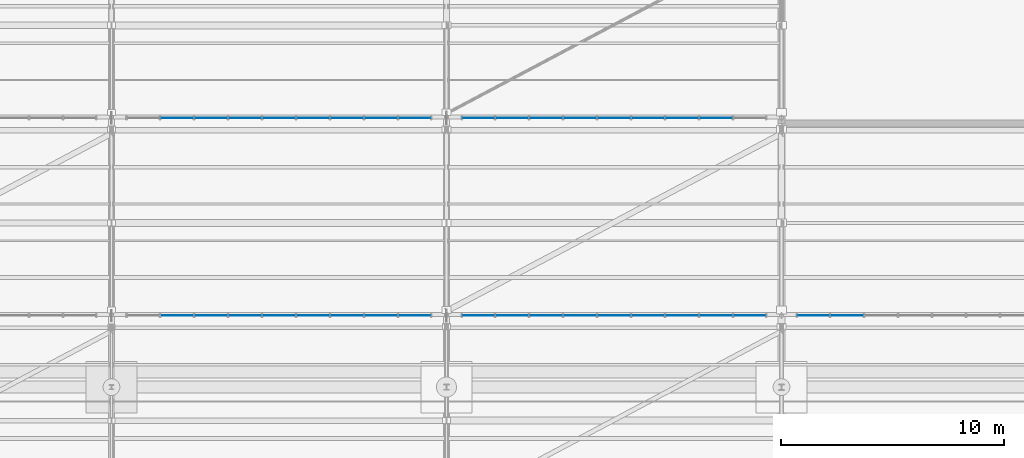
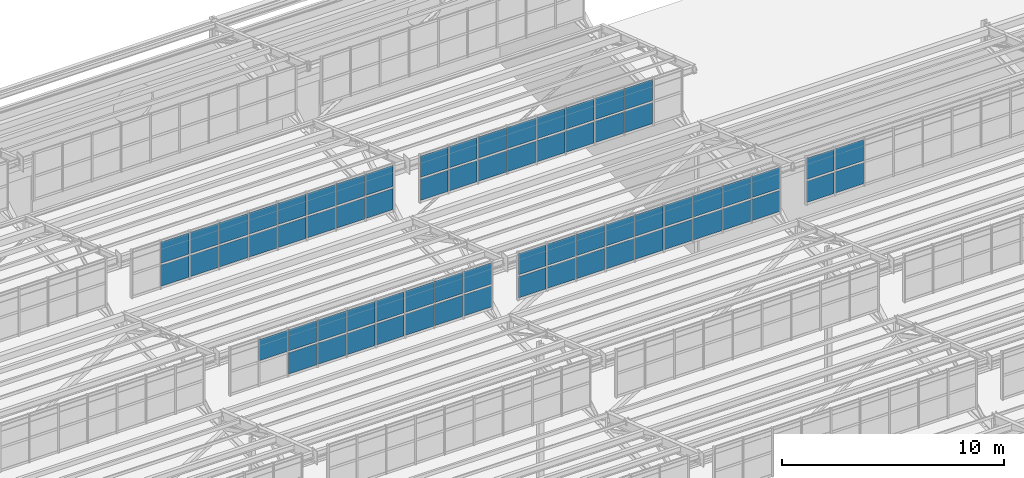
# One storey, part 170 of 285: 69 plates, 5 elements without a shape of their own.
"""IFC4 building model written with IfcOpenShell, lengths in metres."""

from ifc_helpers import new_model, si_unit, direction, frame, origin, origin_2d, place, context, subcontext, project, spatial, rectangle, extrude, material, layer, layer_set, type_object, element, aggregate, save


model = new_model("IFC4")

# Units and contexts
model_context = context("Model", 3, precision=1e-05, world=origin(), true_north=direction((0.0, 1.0)))
body_context = subcontext(model_context, "Body", "Model", "MODEL_VIEW")
ifc_project = project(units=[si_unit("LENGTHUNIT", "METRE"), si_unit("AREAUNIT", "SQUARE_METRE"), si_unit("VOLUMEUNIT", "CUBIC_METRE"), si_unit("PLANEANGLEUNIT", "RADIAN"), si_unit("MASSUNIT", "GRAM", prefix="KILO")], contexts=[model_context])

# Site, building, storey
site_placement = place(None, origin())
site = spatial("IfcSite", under=ifc_project, at=site_placement, CompositionType="ELEMENT")
building_placement = place(site_placement, origin())
building = spatial("IfcBuilding", under=site, at=building_placement, Name="Solanera Park Tramway Depot", CompositionType="ELEMENT")
storey_placement = place(building_placement, origin())
storey = spatial("IfcBuildingStorey", under=building, at=storey_placement, Name="L00", CompositionType="ELEMENT", Elevation=0.0)

# Curtain wall, plates
ifc_material_1 = material(Name="Bronze-anodised thermally broken aluminium curtain wall", Category="aluminium")
curtain_wall_type = type_object("IfcCurtainWallType", Name="Sawtooth Clerestory Monitor Curtain Wall", PredefinedType="NOTDEFINED", material=ifc_material_1)
curtain_wall_1_placement = place(storey_placement, origin())
curtain_wall_1 = element("IfcCurtainWall", 1, at=curtain_wall_1_placement, inside=storey, type_object=curtain_wall_type, Name="L00 Sawtooth Clerestory Monitor Curtain Wall #053", PredefinedType="NOTDEFINED")
ifc_material_2 = material(Name="Low-E laminated solar-control double glazing", Category="glass")
ifc_layer = layer(ifc_material_2, 0.028076171875)
ifc_layer_set = layer_set([ifc_layer], Name="Low-E laminated solar-control double glazing")
plate_type = type_object("IfcPlateType", Name="Curtain Wall Double Glazing Panel 28", PredefinedType="CURTAIN_PANEL", material=ifc_layer_set)
plate_1_placement = place(storey_placement, frame((34.45556640625, 117.699951171875, 7.862060546875), z_axis=(0.0, 0.0, 1.0), x_axis=(1.0, 0.0, 0.0)))
plate_1 = element("IfcPlate", 2, at=plate_1_placement, type_object=plate_type, Name="CW-L00-053 Glazing Panel R1.C3", PredefinedType="CURTAIN_PANEL", context=body_context, shape_type="SweptSolid", body=[
    extrude(rectangle(XDim=1.47021484375, YDim=0.028076171875, at=origin_2d()), origin(), (0.0, 0.0, 1.0), 1.16650390625),
])
plate_2_placement = place(storey_placement, frame((35.977783203125, 117.699951171875, 7.862060546875), z_axis=(0.0, 0.0, 1.0), x_axis=(1.0, 0.0, 0.0)))
plate_2 = element("IfcPlate", 3, at=plate_2_placement, type_object=plate_type, Name="CW-L00-053 Glazing Panel R1.C4", PredefinedType="CURTAIN_PANEL", context=body_context, shape_type="SweptSolid", body=[
    extrude(rectangle(XDim=1.47021484375, YDim=0.028076171875, at=origin_2d()), origin(), (0.0, 0.0, 1.0), 1.16650390625),
])
plate_3_placement = place(storey_placement, frame((37.5, 117.699951171875, 7.862060546875), z_axis=(0.0, 0.0, 1.0), x_axis=(1.0, 0.0, 0.0)))
plate_3 = element("IfcPlate", 4, at=plate_3_placement, type_object=plate_type, Name="CW-L00-053 Glazing Panel R1.C5", PredefinedType="CURTAIN_PANEL", context=body_context, shape_type="SweptSolid", body=[
    extrude(rectangle(XDim=1.47021484375, YDim=0.028076171875, at=origin_2d()), origin(), (0.0, 0.0, 1.0), 1.16650390625),
])
plate_4_placement = place(storey_placement, frame((39.022216796875, 117.699951171875, 7.862060546875), z_axis=(0.0, 0.0, 1.0), x_axis=(1.0, 0.0, 0.0)))
plate_4 = element("IfcPlate", 5, at=plate_4_placement, type_object=plate_type, Name="CW-L00-053 Glazing Panel R1.C6", PredefinedType="CURTAIN_PANEL", context=body_context, shape_type="SweptSolid", body=[
    extrude(rectangle(XDim=1.47021484375, YDim=0.028076171875, at=origin_2d()), origin(), (0.0, 0.0, 1.0), 1.16650390625),
])
plate_5_placement = place(storey_placement, frame((40.54443359375, 117.699951171875, 7.862060546875), z_axis=(0.0, 0.0, 1.0), x_axis=(1.0, 0.0, 0.0)))
plate_5 = element("IfcPlate", 6, at=plate_5_placement, type_object=plate_type, Name="CW-L00-053 Glazing Panel R1.C7", PredefinedType="CURTAIN_PANEL", context=body_context, shape_type="SweptSolid", body=[
    extrude(rectangle(XDim=1.47021484375, YDim=0.028076171875, at=origin_2d()), origin(), (0.0, 0.0, 1.0), 1.16650390625),
])
plate_6_placement = place(storey_placement, frame((42.066650390625, 117.699951171875, 7.862060546875), z_axis=(0.0, 0.0, 1.0), x_axis=(1.0, 0.0, 0.0)))
plate_6 = element("IfcPlate", 7, at=plate_6_placement, type_object=plate_type, Name="CW-L00-053 Glazing Panel R1.C8", PredefinedType="CURTAIN_PANEL", context=body_context, shape_type="SweptSolid", body=[
    extrude(rectangle(XDim=1.47021484375, YDim=0.028076171875, at=origin_2d()), origin(), (0.0, 0.0, 1.0), 1.16650390625),
])
plate_7_placement = place(storey_placement, frame((43.572509765625, 117.699951171875, 7.862060546875), z_axis=(0.0, 0.0, 1.0), x_axis=(1.0, 0.0, 0.0)))
plate_7 = element("IfcPlate", 8, at=plate_7_placement, type_object=plate_type, Name="CW-L00-053 Glazing Panel R1.C9", PredefinedType="CURTAIN_PANEL", context=body_context, shape_type="SweptSolid", body=[
    extrude(rectangle(XDim=1.437744140625, YDim=0.028076171875, at=origin_2d()), origin(), (0.0, 0.0, 1.0), 1.16650390625),
])
plate_8_placement = place(storey_placement, frame((32.933349609375, 117.699951171875, 9.132568359375), z_axis=(0.0, 0.0, 1.0), x_axis=(1.0, 0.0, 0.0)))
plate_8 = element("IfcPlate", 9, at=plate_8_placement, type_object=plate_type, Name="CW-L00-053 Glazing Panel R2.C2", PredefinedType="CURTAIN_PANEL", context=body_context, shape_type="SweptSolid", body=[
    extrude(rectangle(XDim=1.47021484375, YDim=0.028076171875, at=origin_2d()), origin(), (0.0, 0.0, 1.0), 1.16650390625),
])
plate_9_placement = place(storey_placement, frame((34.45556640625, 117.699951171875, 9.132568359375), z_axis=(0.0, 0.0, 1.0), x_axis=(1.0, 0.0, 0.0)))
plate_9 = element("IfcPlate", 10, at=plate_9_placement, type_object=plate_type, Name="CW-L00-053 Glazing Panel R2.C3", PredefinedType="CURTAIN_PANEL", context=body_context, shape_type="SweptSolid", body=[
    extrude(rectangle(XDim=1.47021484375, YDim=0.028076171875, at=origin_2d()), origin(), (0.0, 0.0, 1.0), 1.16650390625),
])
plate_10_placement = place(storey_placement, frame((35.977783203125, 117.699951171875, 9.132568359375), z_axis=(0.0, 0.0, 1.0), x_axis=(1.0, 0.0, 0.0)))
plate_10 = element("IfcPlate", 11, at=plate_10_placement, type_object=plate_type, Name="CW-L00-053 Glazing Panel R2.C4", PredefinedType="CURTAIN_PANEL", context=body_context, shape_type="SweptSolid", body=[
    extrude(rectangle(XDim=1.47021484375, YDim=0.028076171875, at=origin_2d()), origin(), (0.0, 0.0, 1.0), 1.16650390625),
])
plate_11_placement = place(storey_placement, frame((37.5, 117.699951171875, 9.132568359375), z_axis=(0.0, 0.0, 1.0), x_axis=(1.0, 0.0, 0.0)))
plate_11 = element("IfcPlate", 12, at=plate_11_placement, type_object=plate_type, Name="CW-L00-053 Glazing Panel R2.C5", PredefinedType="CURTAIN_PANEL", context=body_context, shape_type="SweptSolid", body=[
    extrude(rectangle(XDim=1.47021484375, YDim=0.028076171875, at=origin_2d()), origin(), (0.0, 0.0, 1.0), 1.16650390625),
])
plate_12_placement = place(storey_placement, frame((39.022216796875, 117.699951171875, 9.132568359375), z_axis=(0.0, 0.0, 1.0), x_axis=(1.0, 0.0, 0.0)))
plate_12 = element("IfcPlate", 13, at=plate_12_placement, type_object=plate_type, Name="CW-L00-053 Glazing Panel R2.C6", PredefinedType="CURTAIN_PANEL", context=body_context, shape_type="SweptSolid", body=[
    extrude(rectangle(XDim=1.47021484375, YDim=0.028076171875, at=origin_2d()), origin(), (0.0, 0.0, 1.0), 1.16650390625),
])
plate_13_placement = place(storey_placement, frame((40.54443359375, 117.699951171875, 9.132568359375), z_axis=(0.0, 0.0, 1.0), x_axis=(1.0, 0.0, 0.0)))
plate_13 = element("IfcPlate", 14, at=plate_13_placement, type_object=plate_type, Name="CW-L00-053 Glazing Panel R2.C7", PredefinedType="CURTAIN_PANEL", context=body_context, shape_type="SweptSolid", body=[
    extrude(rectangle(XDim=1.47021484375, YDim=0.028076171875, at=origin_2d()), origin(), (0.0, 0.0, 1.0), 1.16650390625),
])
plate_14_placement = place(storey_placement, frame((42.066650390625, 117.699951171875, 9.132568359375), z_axis=(0.0, 0.0, 1.0), x_axis=(1.0, 0.0, 0.0)))
plate_14 = element("IfcPlate", 15, at=plate_14_placement, type_object=plate_type, Name="CW-L00-053 Glazing Panel R2.C8", PredefinedType="CURTAIN_PANEL", context=body_context, shape_type="SweptSolid", body=[
    extrude(rectangle(XDim=1.47021484375, YDim=0.028076171875, at=origin_2d()), origin(), (0.0, 0.0, 1.0), 1.16650390625),
])
plate_15_placement = place(storey_placement, frame((43.572509765625, 117.699951171875, 9.132568359375), z_axis=(0.0, 0.0, 1.0), x_axis=(1.0, 0.0, 0.0)))
plate_15 = element("IfcPlate", 16, at=plate_15_placement, type_object=plate_type, Name="CW-L00-053 Glazing Panel R2.C9", PredefinedType="CURTAIN_PANEL", context=body_context, shape_type="SweptSolid", body=[
    extrude(rectangle(XDim=1.437744140625, YDim=0.028076171875, at=origin_2d()), origin(), (0.0, 0.0, 1.0), 1.16650390625),
])
aggregate(curtain_wall_1, [plate_1, plate_2, plate_3, plate_4, plate_5, plate_6, plate_7, plate_8, plate_9, plate_10, plate_11, plate_12, plate_13, plate_14, plate_15])

curtain_wall_2_placement = place(storey_placement, origin())
curtain_wall_2 = element("IfcCurtainWall", 17, at=curtain_wall_2_placement, inside=storey, type_object=curtain_wall_type, Name="L00 Sawtooth Clerestory Monitor Curtain Wall #054", PredefinedType="NOTDEFINED")
plate_16_placement = place(storey_placement, frame((46.427490234375, 117.699951171875, 7.862060546875), z_axis=(0.0, 0.0, 1.0), x_axis=(1.0, 0.0, 0.0)))
plate_16 = element("IfcPlate", 18, at=plate_16_placement, type_object=plate_type, Name="CW-L00-054 Glazing Panel R1.C1", PredefinedType="CURTAIN_PANEL", context=body_context, shape_type="SweptSolid", body=[
    extrude(rectangle(XDim=1.437744140625, YDim=0.028076171875, at=origin_2d()), origin(), (0.0, 0.0, 1.0), 1.16650390625),
])
plate_17_placement = place(storey_placement, frame((47.933349609375, 117.699951171875, 7.862060546875), z_axis=(0.0, 0.0, 1.0), x_axis=(1.0, 0.0, 0.0)))
plate_17 = element("IfcPlate", 19, at=plate_17_placement, type_object=plate_type, Name="CW-L00-054 Glazing Panel R1.C2", PredefinedType="CURTAIN_PANEL", context=body_context, shape_type="SweptSolid", body=[
    extrude(rectangle(XDim=1.47021484375, YDim=0.028076171875, at=origin_2d()), origin(), (0.0, 0.0, 1.0), 1.16650390625),
])
plate_18_placement = place(storey_placement, frame((49.45556640625, 117.699951171875, 7.862060546875), z_axis=(0.0, 0.0, 1.0), x_axis=(1.0, 0.0, 0.0)))
plate_18 = element("IfcPlate", 20, at=plate_18_placement, type_object=plate_type, Name="CW-L00-054 Glazing Panel R1.C3", PredefinedType="CURTAIN_PANEL", context=body_context, shape_type="SweptSolid", body=[
    extrude(rectangle(XDim=1.47021484375, YDim=0.028076171875, at=origin_2d()), origin(), (0.0, 0.0, 1.0), 1.16650390625),
])
plate_19_placement = place(storey_placement, frame((50.977783203125, 117.699951171875, 7.862060546875), z_axis=(0.0, 0.0, 1.0), x_axis=(1.0, 0.0, 0.0)))
plate_19 = element("IfcPlate", 21, at=plate_19_placement, type_object=plate_type, Name="CW-L00-054 Glazing Panel R1.C4", PredefinedType="CURTAIN_PANEL", context=body_context, shape_type="SweptSolid", body=[
    extrude(rectangle(XDim=1.47021484375, YDim=0.028076171875, at=origin_2d()), origin(), (0.0, 0.0, 1.0), 1.16650390625),
])
plate_20_placement = place(storey_placement, frame((52.5, 117.699951171875, 7.862060546875), z_axis=(0.0, 0.0, 1.0), x_axis=(1.0, 0.0, 0.0)))
plate_20 = element("IfcPlate", 22, at=plate_20_placement, type_object=plate_type, Name="CW-L00-054 Glazing Panel R1.C5", PredefinedType="CURTAIN_PANEL", context=body_context, shape_type="SweptSolid", body=[
    extrude(rectangle(XDim=1.47021484375, YDim=0.028076171875, at=origin_2d()), origin(), (0.0, 0.0, 1.0), 1.16650390625),
])
plate_21_placement = place(storey_placement, frame((54.022216796875, 117.699951171875, 7.862060546875), z_axis=(0.0, 0.0, 1.0), x_axis=(1.0, 0.0, 0.0)))
plate_21 = element("IfcPlate", 23, at=plate_21_placement, type_object=plate_type, Name="CW-L00-054 Glazing Panel R1.C6", PredefinedType="CURTAIN_PANEL", context=body_context, shape_type="SweptSolid", body=[
    extrude(rectangle(XDim=1.47021484375, YDim=0.028076171875, at=origin_2d()), origin(), (0.0, 0.0, 1.0), 1.16650390625),
])
plate_22_placement = place(storey_placement, frame((55.54443359375, 117.699951171875, 7.862060546875), z_axis=(0.0, 0.0, 1.0), x_axis=(1.0, 0.0, 0.0)))
plate_22 = element("IfcPlate", 24, at=plate_22_placement, type_object=plate_type, Name="CW-L00-054 Glazing Panel R1.C7", PredefinedType="CURTAIN_PANEL", context=body_context, shape_type="SweptSolid", body=[
    extrude(rectangle(XDim=1.47021484375, YDim=0.028076171875, at=origin_2d()), origin(), (0.0, 0.0, 1.0), 1.16650390625),
])
plate_23_placement = place(storey_placement, frame((57.066650390625, 117.699951171875, 7.862060546875), z_axis=(0.0, 0.0, 1.0), x_axis=(1.0, 0.0, 0.0)))
plate_23 = element("IfcPlate", 25, at=plate_23_placement, type_object=plate_type, Name="CW-L00-054 Glazing Panel R1.C8", PredefinedType="CURTAIN_PANEL", context=body_context, shape_type="SweptSolid", body=[
    extrude(rectangle(XDim=1.47021484375, YDim=0.028076171875, at=origin_2d()), origin(), (0.0, 0.0, 1.0), 1.16650390625),
])
plate_24_placement = place(storey_placement, frame((58.572509765625, 117.699951171875, 7.862060546875), z_axis=(0.0, 0.0, 1.0), x_axis=(1.0, 0.0, 0.0)))
plate_24 = element("IfcPlate", 26, at=plate_24_placement, type_object=plate_type, Name="CW-L00-054 Glazing Panel R1.C9", PredefinedType="CURTAIN_PANEL", context=body_context, shape_type="SweptSolid", body=[
    extrude(rectangle(XDim=1.437744140625, YDim=0.028076171875, at=origin_2d()), origin(), (0.0, 0.0, 1.0), 1.16650390625),
])
plate_25_placement = place(storey_placement, frame((46.427490234375, 117.699951171875, 9.132568359375), z_axis=(0.0, 0.0, 1.0), x_axis=(1.0, 0.0, 0.0)))
plate_25 = element("IfcPlate", 27, at=plate_25_placement, type_object=plate_type, Name="CW-L00-054 Glazing Panel R2.C1", PredefinedType="CURTAIN_PANEL", context=body_context, shape_type="SweptSolid", body=[
    extrude(rectangle(XDim=1.437744140625, YDim=0.028076171875, at=origin_2d()), origin(), (0.0, 0.0, 1.0), 1.16650390625),
])
plate_26_placement = place(storey_placement, frame((47.933349609375, 117.699951171875, 9.132568359375), z_axis=(0.0, 0.0, 1.0), x_axis=(1.0, 0.0, 0.0)))
plate_26 = element("IfcPlate", 28, at=plate_26_placement, type_object=plate_type, Name="CW-L00-054 Glazing Panel R2.C2", PredefinedType="CURTAIN_PANEL", context=body_context, shape_type="SweptSolid", body=[
    extrude(rectangle(XDim=1.47021484375, YDim=0.028076171875, at=origin_2d()), origin(), (0.0, 0.0, 1.0), 1.16650390625),
])
plate_27_placement = place(storey_placement, frame((49.45556640625, 117.699951171875, 9.132568359375), z_axis=(0.0, 0.0, 1.0), x_axis=(1.0, 0.0, 0.0)))
plate_27 = element("IfcPlate", 29, at=plate_27_placement, type_object=plate_type, Name="CW-L00-054 Glazing Panel R2.C3", PredefinedType="CURTAIN_PANEL", context=body_context, shape_type="SweptSolid", body=[
    extrude(rectangle(XDim=1.47021484375, YDim=0.028076171875, at=origin_2d()), origin(), (0.0, 0.0, 1.0), 1.16650390625),
])
plate_28_placement = place(storey_placement, frame((50.977783203125, 117.699951171875, 9.132568359375), z_axis=(0.0, 0.0, 1.0), x_axis=(1.0, 0.0, 0.0)))
plate_28 = element("IfcPlate", 30, at=plate_28_placement, type_object=plate_type, Name="CW-L00-054 Glazing Panel R2.C4", PredefinedType="CURTAIN_PANEL", context=body_context, shape_type="SweptSolid", body=[
    extrude(rectangle(XDim=1.47021484375, YDim=0.028076171875, at=origin_2d()), origin(), (0.0, 0.0, 1.0), 1.16650390625),
])
plate_29_placement = place(storey_placement, frame((52.5, 117.699951171875, 9.132568359375), z_axis=(0.0, 0.0, 1.0), x_axis=(1.0, 0.0, 0.0)))
plate_29 = element("IfcPlate", 31, at=plate_29_placement, type_object=plate_type, Name="CW-L00-054 Glazing Panel R2.C5", PredefinedType="CURTAIN_PANEL", context=body_context, shape_type="SweptSolid", body=[
    extrude(rectangle(XDim=1.47021484375, YDim=0.028076171875, at=origin_2d()), origin(), (0.0, 0.0, 1.0), 1.16650390625),
])
plate_30_placement = place(storey_placement, frame((54.022216796875, 117.699951171875, 9.132568359375), z_axis=(0.0, 0.0, 1.0), x_axis=(1.0, 0.0, 0.0)))
plate_30 = element("IfcPlate", 32, at=plate_30_placement, type_object=plate_type, Name="CW-L00-054 Glazing Panel R2.C6", PredefinedType="CURTAIN_PANEL", context=body_context, shape_type="SweptSolid", body=[
    extrude(rectangle(XDim=1.47021484375, YDim=0.028076171875, at=origin_2d()), origin(), (0.0, 0.0, 1.0), 1.16650390625),
])
plate_31_placement = place(storey_placement, frame((55.54443359375, 117.699951171875, 9.132568359375), z_axis=(0.0, 0.0, 1.0), x_axis=(1.0, 0.0, 0.0)))
plate_31 = element("IfcPlate", 33, at=plate_31_placement, type_object=plate_type, Name="CW-L00-054 Glazing Panel R2.C7", PredefinedType="CURTAIN_PANEL", context=body_context, shape_type="SweptSolid", body=[
    extrude(rectangle(XDim=1.47021484375, YDim=0.028076171875, at=origin_2d()), origin(), (0.0, 0.0, 1.0), 1.16650390625),
])
plate_32_placement = place(storey_placement, frame((57.066650390625, 117.699951171875, 9.132568359375), z_axis=(0.0, 0.0, 1.0), x_axis=(1.0, 0.0, 0.0)))
plate_32 = element("IfcPlate", 34, at=plate_32_placement, type_object=plate_type, Name="CW-L00-054 Glazing Panel R2.C8", PredefinedType="CURTAIN_PANEL", context=body_context, shape_type="SweptSolid", body=[
    extrude(rectangle(XDim=1.47021484375, YDim=0.028076171875, at=origin_2d()), origin(), (0.0, 0.0, 1.0), 1.16650390625),
])
plate_33_placement = place(storey_placement, frame((58.572509765625, 117.699951171875, 9.132568359375), z_axis=(0.0, 0.0, 1.0), x_axis=(1.0, 0.0, 0.0)))
plate_33 = element("IfcPlate", 35, at=plate_33_placement, type_object=plate_type, Name="CW-L00-054 Glazing Panel R2.C9", PredefinedType="CURTAIN_PANEL", context=body_context, shape_type="SweptSolid", body=[
    extrude(rectangle(XDim=1.437744140625, YDim=0.028076171875, at=origin_2d()), origin(), (0.0, 0.0, 1.0), 1.16650390625),
])
aggregate(curtain_wall_2, [plate_16, plate_17, plate_18, plate_19, plate_20, plate_21, plate_22, plate_23, plate_24, plate_25, plate_26, plate_27, plate_28, plate_29, plate_30, plate_31, plate_32, plate_33])

curtain_wall_3_placement = place(storey_placement, origin())
curtain_wall_3 = element("IfcCurtainWall", 36, at=curtain_wall_3_placement, inside=storey, type_object=curtain_wall_type, Name="L00 Sawtooth Clerestory Monitor Curtain Wall #055", PredefinedType="NOTDEFINED")
plate_34_placement = place(storey_placement, frame((61.427490234375, 117.699951171875, 7.862060546875), z_axis=(0.0, 0.0, 1.0), x_axis=(1.0, 0.0, 0.0)))
plate_34 = element("IfcPlate", 37, at=plate_34_placement, type_object=plate_type, Name="CW-L00-055 Glazing Panel R1.C1", PredefinedType="CURTAIN_PANEL", context=body_context, shape_type="SweptSolid", body=[
    extrude(rectangle(XDim=1.437744140625, YDim=0.028076171875, at=origin_2d()), origin(), (0.0, 0.0, 1.0), 1.16650390625),
])
plate_35_placement = place(storey_placement, frame((62.933349609375, 117.699951171875, 7.862060546875), z_axis=(0.0, 0.0, 1.0), x_axis=(1.0, 0.0, 0.0)))
plate_35 = element("IfcPlate", 38, at=plate_35_placement, type_object=plate_type, Name="CW-L00-055 Glazing Panel R1.C2", PredefinedType="CURTAIN_PANEL", context=body_context, shape_type="SweptSolid", body=[
    extrude(rectangle(XDim=1.47021484375, YDim=0.028076171875, at=origin_2d()), origin(), (0.0, 0.0, 1.0), 1.16650390625),
])
plate_36_placement = place(storey_placement, frame((61.427490234375, 117.699951171875, 9.132568359375), z_axis=(0.0, 0.0, 1.0), x_axis=(1.0, 0.0, 0.0)))
plate_36 = element("IfcPlate", 39, at=plate_36_placement, type_object=plate_type, Name="CW-L00-055 Glazing Panel R2.C1", PredefinedType="CURTAIN_PANEL", context=body_context, shape_type="SweptSolid", body=[
    extrude(rectangle(XDim=1.437744140625, YDim=0.028076171875, at=origin_2d()), origin(), (0.0, 0.0, 1.0), 1.16650390625),
])
plate_37_placement = place(storey_placement, frame((62.933349609375, 117.699951171875, 9.132568359375), z_axis=(0.0, 0.0, 1.0), x_axis=(1.0, 0.0, 0.0)))
plate_37 = element("IfcPlate", 40, at=plate_37_placement, type_object=plate_type, Name="CW-L00-055 Glazing Panel R2.C2", PredefinedType="CURTAIN_PANEL", context=body_context, shape_type="SweptSolid", body=[
    extrude(rectangle(XDim=1.47021484375, YDim=0.028076171875, at=origin_2d()), origin(), (0.0, 0.0, 1.0), 1.16650390625),
])
aggregate(curtain_wall_3, [plate_34, plate_35, plate_36, plate_37])

curtain_wall_4_placement = place(storey_placement, origin())
curtain_wall_4 = element("IfcCurtainWall", 41, at=curtain_wall_4_placement, inside=storey, type_object=curtain_wall_type, Name="L00 Sawtooth Clerestory Monitor Curtain Wall #061", PredefinedType="NOTDEFINED")
plate_38_placement = place(storey_placement, frame((32.933349609375, 126.550048828125, 7.862060546875), z_axis=(0.0, 0.0, 1.0), x_axis=(1.0, 0.0, 0.0)))
plate_38 = element("IfcPlate", 42, at=plate_38_placement, type_object=plate_type, Name="CW-L00-061 Glazing Panel R1.C2", PredefinedType="CURTAIN_PANEL", context=body_context, shape_type="SweptSolid", body=[
    extrude(rectangle(XDim=1.47021484375, YDim=0.028076171875, at=origin_2d()), origin(), (0.0, 0.0, 1.0), 1.16650390625),
])
plate_39_placement = place(storey_placement, frame((34.45556640625, 126.550048828125, 7.862060546875), z_axis=(0.0, 0.0, 1.0), x_axis=(1.0, 0.0, 0.0)))
plate_39 = element("IfcPlate", 43, at=plate_39_placement, type_object=plate_type, Name="CW-L00-061 Glazing Panel R1.C3", PredefinedType="CURTAIN_PANEL", context=body_context, shape_type="SweptSolid", body=[
    extrude(rectangle(XDim=1.47021484375, YDim=0.028076171875, at=origin_2d()), origin(), (0.0, 0.0, 1.0), 1.16650390625),
])
plate_40_placement = place(storey_placement, frame((35.977783203125, 126.550048828125, 7.862060546875), z_axis=(0.0, 0.0, 1.0), x_axis=(1.0, 0.0, 0.0)))
plate_40 = element("IfcPlate", 44, at=plate_40_placement, type_object=plate_type, Name="CW-L00-061 Glazing Panel R1.C4", PredefinedType="CURTAIN_PANEL", context=body_context, shape_type="SweptSolid", body=[
    extrude(rectangle(XDim=1.47021484375, YDim=0.028076171875, at=origin_2d()), origin(), (0.0, 0.0, 1.0), 1.16650390625),
])
plate_41_placement = place(storey_placement, frame((37.5, 126.550048828125, 7.862060546875), z_axis=(0.0, 0.0, 1.0), x_axis=(1.0, 0.0, 0.0)))
plate_41 = element("IfcPlate", 45, at=plate_41_placement, type_object=plate_type, Name="CW-L00-061 Glazing Panel R1.C5", PredefinedType="CURTAIN_PANEL", context=body_context, shape_type="SweptSolid", body=[
    extrude(rectangle(XDim=1.47021484375, YDim=0.028076171875, at=origin_2d()), origin(), (0.0, 0.0, 1.0), 1.16650390625),
])
plate_42_placement = place(storey_placement, frame((39.022216796875, 126.550048828125, 7.862060546875), z_axis=(0.0, 0.0, 1.0), x_axis=(1.0, 0.0, 0.0)))
plate_42 = element("IfcPlate", 46, at=plate_42_placement, type_object=plate_type, Name="CW-L00-061 Glazing Panel R1.C6", PredefinedType="CURTAIN_PANEL", context=body_context, shape_type="SweptSolid", body=[
    extrude(rectangle(XDim=1.47021484375, YDim=0.028076171875, at=origin_2d()), origin(), (0.0, 0.0, 1.0), 1.16650390625),
])
plate_43_placement = place(storey_placement, frame((40.54443359375, 126.550048828125, 7.862060546875), z_axis=(0.0, 0.0, 1.0), x_axis=(1.0, 0.0, 0.0)))
plate_43 = element("IfcPlate", 47, at=plate_43_placement, type_object=plate_type, Name="CW-L00-061 Glazing Panel R1.C7", PredefinedType="CURTAIN_PANEL", context=body_context, shape_type="SweptSolid", body=[
    extrude(rectangle(XDim=1.47021484375, YDim=0.028076171875, at=origin_2d()), origin(), (0.0, 0.0, 1.0), 1.16650390625),
])
plate_44_placement = place(storey_placement, frame((42.066650390625, 126.550048828125, 7.862060546875), z_axis=(0.0, 0.0, 1.0), x_axis=(1.0, 0.0, 0.0)))
plate_44 = element("IfcPlate", 48, at=plate_44_placement, type_object=plate_type, Name="CW-L00-061 Glazing Panel R1.C8", PredefinedType="CURTAIN_PANEL", context=body_context, shape_type="SweptSolid", body=[
    extrude(rectangle(XDim=1.47021484375, YDim=0.028076171875, at=origin_2d()), origin(), (0.0, 0.0, 1.0), 1.16650390625),
])
plate_45_placement = place(storey_placement, frame((43.572509765625, 126.550048828125, 7.862060546875), z_axis=(0.0, 0.0, 1.0), x_axis=(1.0, 0.0, 0.0)))
plate_45 = element("IfcPlate", 49, at=plate_45_placement, type_object=plate_type, Name="CW-L00-061 Glazing Panel R1.C9", PredefinedType="CURTAIN_PANEL", context=body_context, shape_type="SweptSolid", body=[
    extrude(rectangle(XDim=1.437744140625, YDim=0.028076171875, at=origin_2d()), origin(), (0.0, 0.0, 1.0), 1.16650390625),
])
plate_46_placement = place(storey_placement, frame((32.933349609375, 126.550048828125, 9.132568359375), z_axis=(0.0, 0.0, 1.0), x_axis=(1.0, 0.0, 0.0)))
plate_46 = element("IfcPlate", 50, at=plate_46_placement, type_object=plate_type, Name="CW-L00-061 Glazing Panel R2.C2", PredefinedType="CURTAIN_PANEL", context=body_context, shape_type="SweptSolid", body=[
    extrude(rectangle(XDim=1.47021484375, YDim=0.028076171875, at=origin_2d()), origin(), (0.0, 0.0, 1.0), 1.16650390625),
])
plate_47_placement = place(storey_placement, frame((34.45556640625, 126.550048828125, 9.132568359375), z_axis=(0.0, 0.0, 1.0), x_axis=(1.0, 0.0, 0.0)))
plate_47 = element("IfcPlate", 51, at=plate_47_placement, type_object=plate_type, Name="CW-L00-061 Glazing Panel R2.C3", PredefinedType="CURTAIN_PANEL", context=body_context, shape_type="SweptSolid", body=[
    extrude(rectangle(XDim=1.47021484375, YDim=0.028076171875, at=origin_2d()), origin(), (0.0, 0.0, 1.0), 1.16650390625),
])
plate_48_placement = place(storey_placement, frame((35.977783203125, 126.550048828125, 9.132568359375), z_axis=(0.0, 0.0, 1.0), x_axis=(1.0, 0.0, 0.0)))
plate_48 = element("IfcPlate", 52, at=plate_48_placement, type_object=plate_type, Name="CW-L00-061 Glazing Panel R2.C4", PredefinedType="CURTAIN_PANEL", context=body_context, shape_type="SweptSolid", body=[
    extrude(rectangle(XDim=1.47021484375, YDim=0.028076171875, at=origin_2d()), origin(), (0.0, 0.0, 1.0), 1.16650390625),
])
plate_49_placement = place(storey_placement, frame((37.5, 126.550048828125, 9.132568359375), z_axis=(0.0, 0.0, 1.0), x_axis=(1.0, 0.0, 0.0)))
plate_49 = element("IfcPlate", 53, at=plate_49_placement, type_object=plate_type, Name="CW-L00-061 Glazing Panel R2.C5", PredefinedType="CURTAIN_PANEL", context=body_context, shape_type="SweptSolid", body=[
    extrude(rectangle(XDim=1.47021484375, YDim=0.028076171875, at=origin_2d()), origin(), (0.0, 0.0, 1.0), 1.16650390625),
])
plate_50_placement = place(storey_placement, frame((39.022216796875, 126.550048828125, 9.132568359375), z_axis=(0.0, 0.0, 1.0), x_axis=(1.0, 0.0, 0.0)))
plate_50 = element("IfcPlate", 54, at=plate_50_placement, type_object=plate_type, Name="CW-L00-061 Glazing Panel R2.C6", PredefinedType="CURTAIN_PANEL", context=body_context, shape_type="SweptSolid", body=[
    extrude(rectangle(XDim=1.47021484375, YDim=0.028076171875, at=origin_2d()), origin(), (0.0, 0.0, 1.0), 1.16650390625),
])
plate_51_placement = place(storey_placement, frame((40.54443359375, 126.550048828125, 9.132568359375), z_axis=(0.0, 0.0, 1.0), x_axis=(1.0, 0.0, 0.0)))
plate_51 = element("IfcPlate", 55, at=plate_51_placement, type_object=plate_type, Name="CW-L00-061 Glazing Panel R2.C7", PredefinedType="CURTAIN_PANEL", context=body_context, shape_type="SweptSolid", body=[
    extrude(rectangle(XDim=1.47021484375, YDim=0.028076171875, at=origin_2d()), origin(), (0.0, 0.0, 1.0), 1.16650390625),
])
plate_52_placement = place(storey_placement, frame((42.066650390625, 126.550048828125, 9.132568359375), z_axis=(0.0, 0.0, 1.0), x_axis=(1.0, 0.0, 0.0)))
plate_52 = element("IfcPlate", 56, at=plate_52_placement, type_object=plate_type, Name="CW-L00-061 Glazing Panel R2.C8", PredefinedType="CURTAIN_PANEL", context=body_context, shape_type="SweptSolid", body=[
    extrude(rectangle(XDim=1.47021484375, YDim=0.028076171875, at=origin_2d()), origin(), (0.0, 0.0, 1.0), 1.16650390625),
])
plate_53_placement = place(storey_placement, frame((43.572509765625, 126.550048828125, 9.132568359375), z_axis=(0.0, 0.0, 1.0), x_axis=(1.0, 0.0, 0.0)))
plate_53 = element("IfcPlate", 57, at=plate_53_placement, type_object=plate_type, Name="CW-L00-061 Glazing Panel R2.C9", PredefinedType="CURTAIN_PANEL", context=body_context, shape_type="SweptSolid", body=[
    extrude(rectangle(XDim=1.437744140625, YDim=0.028076171875, at=origin_2d()), origin(), (0.0, 0.0, 1.0), 1.16650390625),
])
aggregate(curtain_wall_4, [plate_38, plate_39, plate_40, plate_41, plate_42, plate_43, plate_44, plate_45, plate_46, plate_47, plate_48, plate_49, plate_50, plate_51, plate_52, plate_53])

curtain_wall_5_placement = place(storey_placement, origin())
curtain_wall_5 = element("IfcCurtainWall", 58, at=curtain_wall_5_placement, inside=storey, type_object=curtain_wall_type, Name="L00 Sawtooth Clerestory Monitor Curtain Wall #062", PredefinedType="NOTDEFINED")
plate_54_placement = place(storey_placement, frame((46.427490234375, 126.550048828125, 7.862060546875), z_axis=(0.0, 0.0, 1.0), x_axis=(1.0, 0.0, 0.0)))
plate_54 = element("IfcPlate", 59, at=plate_54_placement, type_object=plate_type, Name="CW-L00-062 Glazing Panel R1.C1", PredefinedType="CURTAIN_PANEL", context=body_context, shape_type="SweptSolid", body=[
    extrude(rectangle(XDim=1.437744140625, YDim=0.028076171875, at=origin_2d()), origin(), (0.0, 0.0, 1.0), 1.16650390625),
])
plate_55_placement = place(storey_placement, frame((47.933349609375, 126.550048828125, 7.862060546875), z_axis=(0.0, 0.0, 1.0), x_axis=(1.0, 0.0, 0.0)))
plate_55 = element("IfcPlate", 60, at=plate_55_placement, type_object=plate_type, Name="CW-L00-062 Glazing Panel R1.C2", PredefinedType="CURTAIN_PANEL", context=body_context, shape_type="SweptSolid", body=[
    extrude(rectangle(XDim=1.47021484375, YDim=0.028076171875, at=origin_2d()), origin(), (0.0, 0.0, 1.0), 1.16650390625),
])
plate_56_placement = place(storey_placement, frame((49.45556640625, 126.550048828125, 7.862060546875), z_axis=(0.0, 0.0, 1.0), x_axis=(1.0, 0.0, 0.0)))
plate_56 = element("IfcPlate", 61, at=plate_56_placement, type_object=plate_type, Name="CW-L00-062 Glazing Panel R1.C3", PredefinedType="CURTAIN_PANEL", context=body_context, shape_type="SweptSolid", body=[
    extrude(rectangle(XDim=1.47021484375, YDim=0.028076171875, at=origin_2d()), origin(), (0.0, 0.0, 1.0), 1.16650390625),
])
plate_57_placement = place(storey_placement, frame((50.977783203125, 126.550048828125, 7.862060546875), z_axis=(0.0, 0.0, 1.0), x_axis=(1.0, 0.0, 0.0)))
plate_57 = element("IfcPlate", 62, at=plate_57_placement, type_object=plate_type, Name="CW-L00-062 Glazing Panel R1.C4", PredefinedType="CURTAIN_PANEL", context=body_context, shape_type="SweptSolid", body=[
    extrude(rectangle(XDim=1.47021484375, YDim=0.028076171875, at=origin_2d()), origin(), (0.0, 0.0, 1.0), 1.16650390625),
])
plate_58_placement = place(storey_placement, frame((52.5, 126.550048828125, 7.862060546875), z_axis=(0.0, 0.0, 1.0), x_axis=(1.0, 0.0, 0.0)))
plate_58 = element("IfcPlate", 63, at=plate_58_placement, type_object=plate_type, Name="CW-L00-062 Glazing Panel R1.C5", PredefinedType="CURTAIN_PANEL", context=body_context, shape_type="SweptSolid", body=[
    extrude(rectangle(XDim=1.47021484375, YDim=0.028076171875, at=origin_2d()), origin(), (0.0, 0.0, 1.0), 1.16650390625),
])
plate_59_placement = place(storey_placement, frame((54.022216796875, 126.550048828125, 7.862060546875), z_axis=(0.0, 0.0, 1.0), x_axis=(1.0, 0.0, 0.0)))
plate_59 = element("IfcPlate", 64, at=plate_59_placement, type_object=plate_type, Name="CW-L00-062 Glazing Panel R1.C6", PredefinedType="CURTAIN_PANEL", context=body_context, shape_type="SweptSolid", body=[
    extrude(rectangle(XDim=1.47021484375, YDim=0.028076171875, at=origin_2d()), origin(), (0.0, 0.0, 1.0), 1.16650390625),
])
plate_60_placement = place(storey_placement, frame((55.54443359375, 126.550048828125, 7.862060546875), z_axis=(0.0, 0.0, 1.0), x_axis=(1.0, 0.0, 0.0)))
plate_60 = element("IfcPlate", 65, at=plate_60_placement, type_object=plate_type, Name="CW-L00-062 Glazing Panel R1.C7", PredefinedType="CURTAIN_PANEL", context=body_context, shape_type="SweptSolid", body=[
    extrude(rectangle(XDim=1.47021484375, YDim=0.028076171875, at=origin_2d()), origin(), (0.0, 0.0, 1.0), 1.16650390625),
])
plate_61_placement = place(storey_placement, frame((57.066650390625, 126.550048828125, 7.862060546875), z_axis=(0.0, 0.0, 1.0), x_axis=(1.0, 0.0, 0.0)))
plate_61 = element("IfcPlate", 66, at=plate_61_placement, type_object=plate_type, Name="CW-L00-062 Glazing Panel R1.C8", PredefinedType="CURTAIN_PANEL", context=body_context, shape_type="SweptSolid", body=[
    extrude(rectangle(XDim=1.47021484375, YDim=0.028076171875, at=origin_2d()), origin(), (0.0, 0.0, 1.0), 1.16650390625),
])
plate_62_placement = place(storey_placement, frame((46.427490234375, 126.550048828125, 9.132568359375), z_axis=(0.0, 0.0, 1.0), x_axis=(1.0, 0.0, 0.0)))
plate_62 = element("IfcPlate", 67, at=plate_62_placement, type_object=plate_type, Name="CW-L00-062 Glazing Panel R2.C1", PredefinedType="CURTAIN_PANEL", context=body_context, shape_type="SweptSolid", body=[
    extrude(rectangle(XDim=1.437744140625, YDim=0.028076171875, at=origin_2d()), origin(), (0.0, 0.0, 1.0), 1.16650390625),
])
plate_63_placement = place(storey_placement, frame((47.933349609375, 126.550048828125, 9.132568359375), z_axis=(0.0, 0.0, 1.0), x_axis=(1.0, 0.0, 0.0)))
plate_63 = element("IfcPlate", 68, at=plate_63_placement, type_object=plate_type, Name="CW-L00-062 Glazing Panel R2.C2", PredefinedType="CURTAIN_PANEL", context=body_context, shape_type="SweptSolid", body=[
    extrude(rectangle(XDim=1.47021484375, YDim=0.028076171875, at=origin_2d()), origin(), (0.0, 0.0, 1.0), 1.16650390625),
])
plate_64_placement = place(storey_placement, frame((49.45556640625, 126.550048828125, 9.132568359375), z_axis=(0.0, 0.0, 1.0), x_axis=(1.0, 0.0, 0.0)))
plate_64 = element("IfcPlate", 69, at=plate_64_placement, type_object=plate_type, Name="CW-L00-062 Glazing Panel R2.C3", PredefinedType="CURTAIN_PANEL", context=body_context, shape_type="SweptSolid", body=[
    extrude(rectangle(XDim=1.47021484375, YDim=0.028076171875, at=origin_2d()), origin(), (0.0, 0.0, 1.0), 1.16650390625),
])
plate_65_placement = place(storey_placement, frame((50.977783203125, 126.550048828125, 9.132568359375), z_axis=(0.0, 0.0, 1.0), x_axis=(1.0, 0.0, 0.0)))
plate_65 = element("IfcPlate", 70, at=plate_65_placement, type_object=plate_type, Name="CW-L00-062 Glazing Panel R2.C4", PredefinedType="CURTAIN_PANEL", context=body_context, shape_type="SweptSolid", body=[
    extrude(rectangle(XDim=1.47021484375, YDim=0.028076171875, at=origin_2d()), origin(), (0.0, 0.0, 1.0), 1.16650390625),
])
plate_66_placement = place(storey_placement, frame((52.5, 126.550048828125, 9.132568359375), z_axis=(0.0, 0.0, 1.0), x_axis=(1.0, 0.0, 0.0)))
plate_66 = element("IfcPlate", 71, at=plate_66_placement, type_object=plate_type, Name="CW-L00-062 Glazing Panel R2.C5", PredefinedType="CURTAIN_PANEL", context=body_context, shape_type="SweptSolid", body=[
    extrude(rectangle(XDim=1.47021484375, YDim=0.028076171875, at=origin_2d()), origin(), (0.0, 0.0, 1.0), 1.16650390625),
])
plate_67_placement = place(storey_placement, frame((54.022216796875, 126.550048828125, 9.132568359375), z_axis=(0.0, 0.0, 1.0), x_axis=(1.0, 0.0, 0.0)))
plate_67 = element("IfcPlate", 72, at=plate_67_placement, type_object=plate_type, Name="CW-L00-062 Glazing Panel R2.C6", PredefinedType="CURTAIN_PANEL", context=body_context, shape_type="SweptSolid", body=[
    extrude(rectangle(XDim=1.47021484375, YDim=0.028076171875, at=origin_2d()), origin(), (0.0, 0.0, 1.0), 1.16650390625),
])
plate_68_placement = place(storey_placement, frame((55.54443359375, 126.550048828125, 9.132568359375), z_axis=(0.0, 0.0, 1.0), x_axis=(1.0, 0.0, 0.0)))
plate_68 = element("IfcPlate", 73, at=plate_68_placement, type_object=plate_type, Name="CW-L00-062 Glazing Panel R2.C7", PredefinedType="CURTAIN_PANEL", context=body_context, shape_type="SweptSolid", body=[
    extrude(rectangle(XDim=1.47021484375, YDim=0.028076171875, at=origin_2d()), origin(), (0.0, 0.0, 1.0), 1.16650390625),
])
plate_69_placement = place(storey_placement, frame((57.066650390625, 126.550048828125, 9.132568359375), z_axis=(0.0, 0.0, 1.0), x_axis=(1.0, 0.0, 0.0)))
plate_69 = element("IfcPlate", 74, at=plate_69_placement, type_object=plate_type, Name="CW-L00-062 Glazing Panel R2.C8", PredefinedType="CURTAIN_PANEL", context=body_context, shape_type="SweptSolid", body=[
    extrude(rectangle(XDim=1.47021484375, YDim=0.028076171875, at=origin_2d()), origin(), (0.0, 0.0, 1.0), 1.16650390625),
])
aggregate(curtain_wall_5, [plate_54, plate_55, plate_56, plate_57, plate_58, plate_59, plate_60, plate_61, plate_62, plate_63, plate_64, plate_65, plate_66, plate_67, plate_68, plate_69])

save(model, "model.ifc")
